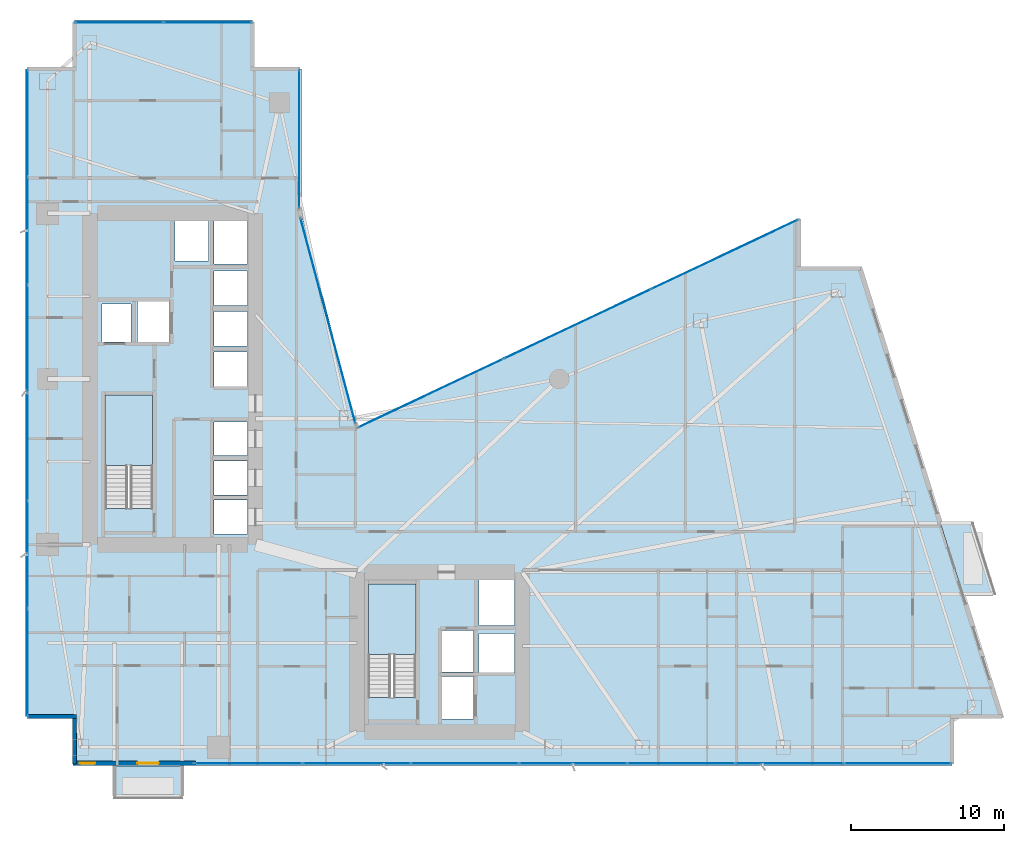
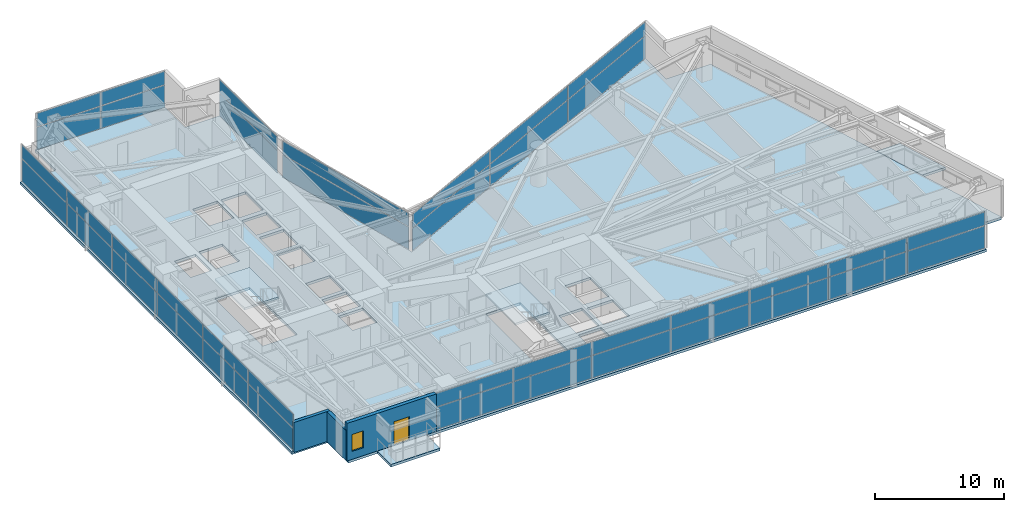
# One storey, part 21 of 29: 40 plates, 5 slabs, 3 walls, 1 door, 1 window, 2 openings, 8 elements without a shape of their own.
"""IFC4 building model written with IfcOpenShell, lengths in metres."""

from ifc_helpers import new_model, si_unit, direction, frame, frame_2d, origin, origin_2d, place, context, subcontext, project, spatial, polyline, rectangle, outline, extrude, material, layer, layer_set, type_object, element, fill, aggregate, save


model = new_model("IFC4")

# Units and contexts
model_context = context("Model", 3, precision=1e-05, world=origin(), true_north=direction((0.0, 1.0)))
body_context = subcontext(model_context, "Body", "Model", "MODEL_VIEW")
ifc_project = project(units=[si_unit("LENGTHUNIT", "METRE"), si_unit("AREAUNIT", "SQUARE_METRE"), si_unit("VOLUMEUNIT", "CUBIC_METRE"), si_unit("PLANEANGLEUNIT", "RADIAN"), si_unit("MASSUNIT", "GRAM", prefix="KILO")], contexts=[model_context])

# Site, building, storey
site_placement = place(None, origin())
site = spatial("IfcSite", under=ifc_project, at=site_placement, CompositionType="ELEMENT")
building_placement = place(site_placement, origin())
building = spatial("IfcBuilding", under=site, at=building_placement, Name="Calvorn Quay Hotel", CompositionType="ELEMENT")
storey_placement = place(building_placement, frame((0.0, 0.0, 81.199951171875)))
storey = spatial("IfcBuildingStorey", under=building, at=storey_placement, Name="L19", CompositionType="ELEMENT", Elevation=81.199951171875)

# Curtain wall, plates
ifc_material_1 = material(Name="Pale Anodised Aluminium and Low-E Glass", Category="aluminium")
ifc_layer_1 = layer(ifc_material_1, 0.219970703125)
ifc_layer_set_1 = layer_set([ifc_layer_1], Name="CW-SYS-Z1")
curtain_wall_type = type_object("IfcCurtainWallType", Name="CW-SYS-Z1", PredefinedType="NOTDEFINED", material=ifc_layer_set_1)
curtain_wall_1_placement = place(storey_placement, origin())
curtain_wall_1 = element("IfcCurtainWall", 1, at=curtain_wall_1_placement, inside=storey, type_object=curtain_wall_type, Name="Tower West Curtain Wall (L19)", PredefinedType="NOTDEFINED")
ifc_material_2 = material(Name="Low-E Laminated Double Glazing", Category="glass")
ifc_layer_2 = layer(ifc_material_2, 0.028076171875)
ifc_layer_set_2 = layer_set([ifc_layer_2], Name="CW-SYS-Z1-PAN")
plate_type = type_object("IfcPlateType", Name="CW-SYS-Z1-PAN", PredefinedType="CURTAIN_PANEL", material=ifc_layer_set_2)
plate_1_placement = place(storey_placement, frame((0.14990234375, 9.131591796875, 0.06005859375), z_axis=(0.0, 0.0, 1.0), x_axis=(0.0, 1.0, 0.0)))
plate_1 = element("IfcPlate", 2, at=plate_1_placement, type_object=plate_type, Name="CW-L19-W panel 1.1", PredefinedType="CURTAIN_PANEL", context=body_context, shape_type="SweptSolid", body=[
    extrude(rectangle(XDim=6.943359375, YDim=0.028076171875, at=origin_2d()), origin(), (0.0, 0.0, 1.0), 2.110107421875),
])
plate_2_placement = place(storey_placement, frame((0.14990234375, 9.131591796875, 2.22998046875), z_axis=(0.0, 0.0, 1.0), x_axis=(0.0, 1.0, 0.0)))
plate_2 = element("IfcPlate", 3, at=plate_2_placement, type_object=plate_type, Name="CW-L19-W panel 1.2", PredefinedType="CURTAIN_PANEL", context=body_context, shape_type="SweptSolid", body=[
    extrude(rectangle(XDim=6.943359375, YDim=0.028076171875, at=origin_2d()), origin(), (0.0, 0.0, 1.0), 1.27001953125),
])
plate_3_placement = place(storey_placement, frame((0.14990234375, 16.14990234375, 0.06005859375), z_axis=(0.0, 0.0, 1.0), x_axis=(0.0, 1.0, 0.0)))
plate_3 = element("IfcPlate", 4, at=plate_3_placement, type_object=plate_type, Name="CW-L19-W panel 2.1", PredefinedType="CURTAIN_PANEL", context=body_context, shape_type="SweptSolid", body=[
    extrude(rectangle(XDim=6.973388671875, YDim=0.028076171875, at=origin_2d()), origin(), (0.0, 0.0, 1.0), 2.110107421875),
])
plate_4_placement = place(storey_placement, frame((0.14990234375, 16.14990234375, 2.22998046875), z_axis=(0.0, 0.0, 1.0), x_axis=(0.0, 1.0, 0.0)))
plate_4 = element("IfcPlate", 5, at=plate_4_placement, type_object=plate_type, Name="CW-L19-W panel 2.2", PredefinedType="CURTAIN_PANEL", context=body_context, shape_type="SweptSolid", body=[
    extrude(rectangle(XDim=6.973388671875, YDim=0.028076171875, at=origin_2d()), origin(), (0.0, 0.0, 1.0), 1.27001953125),
])
plate_5_placement = place(storey_placement, frame((0.14990234375, 23.183349609375, 0.06005859375), z_axis=(0.0, 0.0, 1.0), x_axis=(0.0, 1.0, 0.0)))
plate_5 = element("IfcPlate", 6, at=plate_5_placement, type_object=plate_type, Name="CW-L19-W panel 3.1", PredefinedType="CURTAIN_PANEL", context=body_context, shape_type="SweptSolid", body=[
    extrude(rectangle(XDim=6.973388671875, YDim=0.028076171875, at=origin_2d()), origin(), (0.0, 0.0, 1.0), 2.110107421875),
])
plate_6_placement = place(storey_placement, frame((0.14990234375, 23.183349609375, 2.22998046875), z_axis=(0.0, 0.0, 1.0), x_axis=(0.0, 1.0, 0.0)))
plate_6 = element("IfcPlate", 7, at=plate_6_placement, type_object=plate_type, Name="CW-L19-W panel 3.2", PredefinedType="CURTAIN_PANEL", context=body_context, shape_type="SweptSolid", body=[
    extrude(rectangle(XDim=6.973388671875, YDim=0.028076171875, at=origin_2d()), origin(), (0.0, 0.0, 1.0), 1.27001953125),
])
plate_7_placement = place(storey_placement, frame((0.14990234375, 30.216552734375, 0.06005859375), z_axis=(0.0, 0.0, 1.0), x_axis=(0.0, 1.0, 0.0)))
plate_7 = element("IfcPlate", 8, at=plate_7_placement, type_object=plate_type, Name="CW-L19-W panel 4.1", PredefinedType="CURTAIN_PANEL", context=body_context, shape_type="SweptSolid", body=[
    extrude(rectangle(XDim=6.973388671875, YDim=0.028076171875, at=origin_2d()), origin(), (0.0, 0.0, 1.0), 2.110107421875),
])
plate_8_placement = place(storey_placement, frame((0.14990234375, 30.216552734375, 2.22998046875), z_axis=(0.0, 0.0, 1.0), x_axis=(0.0, 1.0, 0.0)))
plate_8 = element("IfcPlate", 9, at=plate_8_placement, type_object=plate_type, Name="CW-L19-W panel 4.2", PredefinedType="CURTAIN_PANEL", context=body_context, shape_type="SweptSolid", body=[
    extrude(rectangle(XDim=6.973388671875, YDim=0.028076171875, at=origin_2d()), origin(), (0.0, 0.0, 1.0), 1.27001953125),
])
plate_9_placement = place(storey_placement, frame((0.14990234375, 37.25, 0.06005859375), z_axis=(0.0, 0.0, 1.0), x_axis=(0.0, 1.0, 0.0)))
plate_9 = element("IfcPlate", 10, at=plate_9_placement, type_object=plate_type, Name="CW-L19-W panel 5.1", PredefinedType="CURTAIN_PANEL", context=body_context, shape_type="SweptSolid", body=[
    extrude(rectangle(XDim=6.973388671875, YDim=0.028076171875, at=origin_2d()), origin(), (0.0, 0.0, 1.0), 2.110107421875),
])
plate_10_placement = place(storey_placement, frame((0.14990234375, 37.25, 2.22998046875), z_axis=(0.0, 0.0, 1.0), x_axis=(0.0, 1.0, 0.0)))
plate_10 = element("IfcPlate", 11, at=plate_10_placement, type_object=plate_type, Name="CW-L19-W panel 5.2", PredefinedType="CURTAIN_PANEL", context=body_context, shape_type="SweptSolid", body=[
    extrude(rectangle(XDim=6.973388671875, YDim=0.028076171875, at=origin_2d()), origin(), (0.0, 0.0, 1.0), 1.27001953125),
])
plate_11_placement = place(storey_placement, frame((0.14990234375, 44.268310546875, 0.06005859375), z_axis=(0.0, 0.0, 1.0), x_axis=(0.0, 1.0, 0.0)))
plate_11 = element("IfcPlate", 12, at=plate_11_placement, type_object=plate_type, Name="CW-L19-W panel 6.1", PredefinedType="CURTAIN_PANEL", context=body_context, shape_type="SweptSolid", body=[
    extrude(rectangle(XDim=6.943359375, YDim=0.028076171875, at=origin_2d()), origin(), (0.0, 0.0, 1.0), 2.110107421875),
])
plate_12_placement = place(storey_placement, frame((0.14990234375, 44.268310546875, 2.22998046875), z_axis=(0.0, 0.0, 1.0), x_axis=(0.0, 1.0, 0.0)))
plate_12 = element("IfcPlate", 13, at=plate_12_placement, type_object=plate_type, Name="CW-L19-W panel 6.2", PredefinedType="CURTAIN_PANEL", context=body_context, shape_type="SweptSolid", body=[
    extrude(rectangle(XDim=6.943359375, YDim=0.028076171875, at=origin_2d()), origin(), (0.0, 0.0, 1.0), 1.27001953125),
])
aggregate(curtain_wall_1, [plate_1, plate_2, plate_3, plate_4, plate_5, plate_6, plate_7, plate_8, plate_9, plate_10, plate_11, plate_12])

curtain_wall_2_placement = place(storey_placement, origin())
curtain_wall_2 = element("IfcCurtainWall", 14, at=curtain_wall_2_placement, inside=storey, type_object=curtain_wall_type, Name="Tower South Waterfront Curtain Wall (L19)", PredefinedType="NOTDEFINED")
plate_13_placement = place(storey_placement, frame((14.54345703125, 2.550048828125, 0.06005859375), z_axis=(0.0, 0.0, 1.0), x_axis=(1.0, 0.0, 0.0)))
plate_13 = element("IfcPlate", 15, at=plate_13_placement, type_object=plate_type, Name="CW-L19-S panel 1.1", PredefinedType="CURTAIN_PANEL", context=body_context, shape_type="SweptSolid", body=[
    extrude(rectangle(XDim=6.967041015625, YDim=0.028076171875, at=origin_2d()), origin(), (0.0, 0.0, 1.0), 2.110107421875),
])
plate_14_placement = place(storey_placement, frame((14.54345703125, 2.550048828125, 2.22998046875), z_axis=(0.0, 0.0, 1.0), x_axis=(1.0, 0.0, 0.0)))
plate_14 = element("IfcPlate", 16, at=plate_14_placement, type_object=plate_type, Name="CW-L19-S panel 1.2", PredefinedType="CURTAIN_PANEL", context=body_context, shape_type="SweptSolid", body=[
    extrude(rectangle(XDim=6.967041015625, YDim=0.028076171875, at=origin_2d()), origin(), (0.0, 0.0, 1.0), 1.27001953125),
])
plate_15_placement = place(storey_placement, frame((21.585693359375, 2.550048828125, 0.06005859375), z_axis=(0.0, 0.0, 1.0), x_axis=(1.0, 0.0, 0.0)))
plate_15 = element("IfcPlate", 17, at=plate_15_placement, type_object=plate_type, Name="CW-L19-S panel 2.1", PredefinedType="CURTAIN_PANEL", context=body_context, shape_type="SweptSolid", body=[
    extrude(rectangle(XDim=6.9970703125, YDim=0.028076171875, at=origin_2d()), origin(), (0.0, 0.0, 1.0), 2.110107421875),
])
plate_16_placement = place(storey_placement, frame((21.585693359375, 2.550048828125, 2.22998046875), z_axis=(0.0, 0.0, 1.0), x_axis=(1.0, 0.0, 0.0)))
plate_16 = element("IfcPlate", 18, at=plate_16_placement, type_object=plate_type, Name="CW-L19-S panel 2.2", PredefinedType="CURTAIN_PANEL", context=body_context, shape_type="SweptSolid", body=[
    extrude(rectangle(XDim=6.9970703125, YDim=0.028076171875, at=origin_2d()), origin(), (0.0, 0.0, 1.0), 1.27001953125),
])
plate_17_placement = place(storey_placement, frame((28.642822265625, 2.550048828125, 0.06005859375), z_axis=(0.0, 0.0, 1.0), x_axis=(1.0, 0.0, 0.0)))
plate_17 = element("IfcPlate", 19, at=plate_17_placement, type_object=plate_type, Name="CW-L19-S panel 3.1", PredefinedType="CURTAIN_PANEL", context=body_context, shape_type="SweptSolid", body=[
    extrude(rectangle(XDim=6.9970703125, YDim=0.028076171875, at=origin_2d()), origin(), (0.0, 0.0, 1.0), 2.110107421875),
])
plate_18_placement = place(storey_placement, frame((28.642822265625, 2.550048828125, 2.22998046875), z_axis=(0.0, 0.0, 1.0), x_axis=(1.0, 0.0, 0.0)))
plate_18 = element("IfcPlate", 20, at=plate_18_placement, type_object=plate_type, Name="CW-L19-S panel 3.2", PredefinedType="CURTAIN_PANEL", context=body_context, shape_type="SweptSolid", body=[
    extrude(rectangle(XDim=6.9970703125, YDim=0.028076171875, at=origin_2d()), origin(), (0.0, 0.0, 1.0), 1.27001953125),
])
plate_19_placement = place(storey_placement, frame((35.699951171875, 2.550048828125, 0.06005859375), z_axis=(0.0, 0.0, 1.0), x_axis=(1.0, 0.0, 0.0)))
plate_19 = element("IfcPlate", 21, at=plate_19_placement, type_object=plate_type, Name="CW-L19-S panel 4.1", PredefinedType="CURTAIN_PANEL", context=body_context, shape_type="SweptSolid", body=[
    extrude(rectangle(XDim=6.9970703125, YDim=0.028076171875, at=origin_2d()), origin(), (0.0, 0.0, 1.0), 2.110107421875),
])
plate_20_placement = place(storey_placement, frame((35.699951171875, 2.550048828125, 2.22998046875), z_axis=(0.0, 0.0, 1.0), x_axis=(1.0, 0.0, 0.0)))
plate_20 = element("IfcPlate", 22, at=plate_20_placement, type_object=plate_type, Name="CW-L19-S panel 4.2", PredefinedType="CURTAIN_PANEL", context=body_context, shape_type="SweptSolid", body=[
    extrude(rectangle(XDim=6.9970703125, YDim=0.028076171875, at=origin_2d()), origin(), (0.0, 0.0, 1.0), 1.27001953125),
])
plate_21_placement = place(storey_placement, frame((42.757080078125, 2.550048828125, 0.06005859375), z_axis=(0.0, 0.0, 1.0), x_axis=(1.0, 0.0, 0.0)))
plate_21 = element("IfcPlate", 23, at=plate_21_placement, type_object=plate_type, Name="CW-L19-S panel 5.1", PredefinedType="CURTAIN_PANEL", context=body_context, shape_type="SweptSolid", body=[
    extrude(rectangle(XDim=6.9970703125, YDim=0.028076171875, at=origin_2d()), origin(), (0.0, 0.0, 1.0), 2.110107421875),
])
plate_22_placement = place(storey_placement, frame((42.757080078125, 2.550048828125, 2.22998046875), z_axis=(0.0, 0.0, 1.0), x_axis=(1.0, 0.0, 0.0)))
plate_22 = element("IfcPlate", 24, at=plate_22_placement, type_object=plate_type, Name="CW-L19-S panel 5.2", PredefinedType="CURTAIN_PANEL", context=body_context, shape_type="SweptSolid", body=[
    extrude(rectangle(XDim=6.9970703125, YDim=0.028076171875, at=origin_2d()), origin(), (0.0, 0.0, 1.0), 1.27001953125),
])
plate_23_placement = place(storey_placement, frame((49.814208984375, 2.550048828125, 0.06005859375), z_axis=(0.0, 0.0, 1.0), x_axis=(1.0, 0.0, 0.0)))
plate_23 = element("IfcPlate", 25, at=plate_23_placement, type_object=plate_type, Name="CW-L19-S panel 6.1", PredefinedType="CURTAIN_PANEL", context=body_context, shape_type="SweptSolid", body=[
    extrude(rectangle(XDim=6.9970703125, YDim=0.028076171875, at=origin_2d()), origin(), (0.0, 0.0, 1.0), 2.110107421875),
])
plate_24_placement = place(storey_placement, frame((49.814208984375, 2.550048828125, 2.22998046875), z_axis=(0.0, 0.0, 1.0), x_axis=(1.0, 0.0, 0.0)))
plate_24 = element("IfcPlate", 26, at=plate_24_placement, type_object=plate_type, Name="CW-L19-S panel 6.2", PredefinedType="CURTAIN_PANEL", context=body_context, shape_type="SweptSolid", body=[
    extrude(rectangle(XDim=6.9970703125, YDim=0.028076171875, at=origin_2d()), origin(), (0.0, 0.0, 1.0), 1.27001953125),
])
plate_25_placement = place(storey_placement, frame((56.8564453125, 2.550048828125, 0.06005859375), z_axis=(0.0, 0.0, 1.0), x_axis=(1.0, 0.0, 0.0)))
plate_25 = element("IfcPlate", 27, at=plate_25_placement, type_object=plate_type, Name="CW-L19-S panel 7.1", PredefinedType="CURTAIN_PANEL", context=body_context, shape_type="SweptSolid", body=[
    extrude(rectangle(XDim=6.967041015625, YDim=0.028076171875, at=origin_2d()), origin(), (0.0, 0.0, 1.0), 2.110107421875),
])
plate_26_placement = place(storey_placement, frame((56.8564453125, 2.550048828125, 2.22998046875), z_axis=(0.0, 0.0, 1.0), x_axis=(1.0, 0.0, 0.0)))
plate_26 = element("IfcPlate", 28, at=plate_26_placement, type_object=plate_type, Name="CW-L19-S panel 7.2", PredefinedType="CURTAIN_PANEL", context=body_context, shape_type="SweptSolid", body=[
    extrude(rectangle(XDim=6.967041015625, YDim=0.028076171875, at=origin_2d()), origin(), (0.0, 0.0, 1.0), 1.27001953125),
])
aggregate(curtain_wall_2, [plate_13, plate_14, plate_15, plate_16, plate_17, plate_18, plate_19, plate_20, plate_21, plate_22, plate_23, plate_24, plate_25, plate_26])

curtain_wall_3_placement = place(storey_placement, origin())
curtain_wall_3 = element("IfcCurtainWall", 29, at=curtain_wall_3_placement, inside=storey, type_object=curtain_wall_type, Name="Inner Court Curtain Wall L19-NE1", PredefinedType="NOTDEFINED")
plate_27_placement = place(storey_placement, frame((45.58642578125, 35.726806640625, 0.06005859375), z_axis=(0.0, 0.0, 1.0), x_axis=(-0.904248646743, -0.427006305415, 0.0)))
plate_27 = element("IfcPlate", 30, at=plate_27_placement, type_object=plate_type, Name="CW-L19-NE1 panel 1.1", PredefinedType="CURTAIN_PANEL", context=body_context, shape_type="SweptSolid", body=[
    extrude(rectangle(XDim=10.526611328125, YDim=0.028076171875, at=origin_2d()), origin(), (0.0, 0.0, 1.0), 2.110107421875),
])
plate_28_placement = place(storey_placement, frame((45.58642578125, 35.726806640625, 2.22998046875), z_axis=(0.0, 0.0, 1.0), x_axis=(-0.904248646743, -0.427006305415, 0.0)))
plate_28 = element("IfcPlate", 31, at=plate_28_placement, type_object=plate_type, Name="CW-L19-NE1 panel 1.2", PredefinedType="CURTAIN_PANEL", context=body_context, shape_type="SweptSolid", body=[
    extrude(rectangle(XDim=10.526611328125, YDim=0.028076171875, at=origin_2d()), origin(), (0.0, 0.0, 1.0), 1.27001953125),
])
plate_29_placement = place(storey_placement, frame((36.0, 31.199951171875, 0.06005859375), z_axis=(0.0, 0.0, 1.0), x_axis=(-0.904248646743, -0.427006305415, 0.0)))
plate_29 = element("IfcPlate", 32, at=plate_29_placement, type_object=plate_type, Name="CW-L19-NE1 panel 2.1", PredefinedType="CURTAIN_PANEL", context=body_context, shape_type="SweptSolid", body=[
    extrude(rectangle(XDim=10.556640625, YDim=0.028076171875, at=origin_2d()), origin(), (0.0, 0.0, 1.0), 2.110107421875),
])
plate_30_placement = place(storey_placement, frame((36.0, 31.199951171875, 2.22998046875), z_axis=(0.0, 0.0, 1.0), x_axis=(-0.904248646743, -0.427006305415, 0.0)))
plate_30 = element("IfcPlate", 33, at=plate_30_placement, type_object=plate_type, Name="CW-L19-NE1 panel 2.2", PredefinedType="CURTAIN_PANEL", context=body_context, shape_type="SweptSolid", body=[
    extrude(rectangle(XDim=10.556640625, YDim=0.028076171875, at=origin_2d()), origin(), (0.0, 0.0, 1.0), 1.27001953125),
])
plate_31_placement = place(storey_placement, frame((26.41357421875, 26.673095703125, 0.06005859375), z_axis=(0.0, 0.0, 1.0), x_axis=(-0.904248646743, -0.427006305415, 0.0)))
plate_31 = element("IfcPlate", 34, at=plate_31_placement, type_object=plate_type, Name="CW-L19-NE1 panel 3.1", PredefinedType="CURTAIN_PANEL", context=body_context, shape_type="SweptSolid", body=[
    extrude(rectangle(XDim=10.526611328125, YDim=0.028076171875, at=origin_2d()), origin(), (0.0, 0.0, 1.0), 2.110107421875),
])
plate_32_placement = place(storey_placement, frame((26.41357421875, 26.673095703125, 2.22998046875), z_axis=(0.0, 0.0, 1.0), x_axis=(-0.904248646743, -0.427006305415, 0.0)))
plate_32 = element("IfcPlate", 35, at=plate_32_placement, type_object=plate_type, Name="CW-L19-NE1 panel 3.2", PredefinedType="CURTAIN_PANEL", context=body_context, shape_type="SweptSolid", body=[
    extrude(rectangle(XDim=10.526611328125, YDim=0.028076171875, at=origin_2d()), origin(), (0.0, 0.0, 1.0), 1.27001953125),
])
aggregate(curtain_wall_3, [plate_27, plate_28, plate_29, plate_30, plate_31, plate_32])

curtain_wall_4_placement = place(storey_placement, origin())
curtain_wall_4 = element("IfcCurtainWall", 36, at=curtain_wall_4_placement, inside=storey, type_object=curtain_wall_type, Name="Inner Court Curtain Wall L19-IC1", PredefinedType="NOTDEFINED")
plate_33_placement = place(storey_placement, frame((19.72509765625, 31.39990234375, 0.06005859375), z_axis=(0.0, 0.0, 1.0), x_axis=(-0.25877913024, 0.96593652056, 0.0)))
plate_33 = element("IfcPlate", 37, at=plate_33_placement, type_object=plate_type, Name="CW-L19-IC1 panel 1.1", PredefinedType="CURTAIN_PANEL", context=body_context, shape_type="SweptSolid", body=[
    extrude(rectangle(XDim=13.814697265625, YDim=0.028076171875, at=origin_2d()), origin(), (0.0, 0.0, 1.0), 2.110107421875),
])
plate_34_placement = place(storey_placement, frame((19.72509765625, 31.39990234375, 2.22998046875), z_axis=(0.0, 0.0, 1.0), x_axis=(-0.25877913024, 0.96593652056, 0.0)))
plate_34 = element("IfcPlate", 38, at=plate_34_placement, type_object=plate_type, Name="CW-L19-IC1 panel 1.2", PredefinedType="CURTAIN_PANEL", context=body_context, shape_type="SweptSolid", body=[
    extrude(rectangle(XDim=13.814697265625, YDim=0.028076171875, at=origin_2d()), origin(), (0.0, 0.0, 1.0), 1.27001953125),
])
aggregate(curtain_wall_4, [plate_33, plate_34])

curtain_wall_5_placement = place(storey_placement, origin())
curtain_wall_5 = element("IfcCurtainWall", 39, at=curtain_wall_5_placement, inside=storey, type_object=curtain_wall_type, Name="Inner Court Curtain Wall L19-IC2", PredefinedType="NOTDEFINED")
plate_35_placement = place(storey_placement, frame((17.85009765625, 43.239990234375, 0.06005859375), z_axis=(0.0, 0.0, 1.0), x_axis=(0.0, 1.0, 0.0)))
plate_35 = element("IfcPlate", 40, at=plate_35_placement, type_object=plate_type, Name="CW-L19-IC2 panel 1.1", PredefinedType="CURTAIN_PANEL", context=body_context, shape_type="SweptSolid", body=[
    extrude(rectangle(XDim=9.0, YDim=0.028076171875, at=origin_2d()), origin(), (0.0, 0.0, 1.0), 2.110107421875),
])
plate_36_placement = place(storey_placement, frame((17.85009765625, 43.239990234375, 2.22998046875), z_axis=(0.0, 0.0, 1.0), x_axis=(0.0, 1.0, 0.0)))
plate_36 = element("IfcPlate", 41, at=plate_36_placement, type_object=plate_type, Name="CW-L19-IC2 panel 1.2", PredefinedType="CURTAIN_PANEL", context=body_context, shape_type="SweptSolid", body=[
    extrude(rectangle(XDim=9.0, YDim=0.028076171875, at=origin_2d()), origin(), (0.0, 0.0, 1.0), 1.27001953125),
])
aggregate(curtain_wall_5, [plate_35, plate_36])

curtain_wall_6_placement = place(storey_placement, origin())
curtain_wall_6 = element("IfcCurtainWall", 42, at=curtain_wall_6_placement, inside=storey, type_object=curtain_wall_type, Name="Inner Court Curtain Wall L19-N1", PredefinedType="NOTDEFINED")
plate_37_placement = place(storey_placement, frame((11.885009765625, 50.85009765625, 0.06005859375), z_axis=(0.0, 0.0, 1.0), x_axis=(-1.0, 0.0, 0.0)))
plate_37 = element("IfcPlate", 43, at=plate_37_placement, type_object=plate_type, Name="CW-L19-N1 panel 1.1", PredefinedType="CURTAIN_PANEL", context=body_context, shape_type="SweptSolid", body=[
    extrude(rectangle(XDim=5.7099609375, YDim=0.028076171875, at=origin_2d()), origin(), (0.0, 0.0, 1.0), 2.110107421875),
])
plate_38_placement = place(storey_placement, frame((11.885009765625, 50.85009765625, 2.22998046875), z_axis=(0.0, 0.0, 1.0), x_axis=(-1.0, 0.0, 0.0)))
plate_38 = element("IfcPlate", 44, at=plate_38_placement, type_object=plate_type, Name="CW-L19-N1 panel 1.2", PredefinedType="CURTAIN_PANEL", context=body_context, shape_type="SweptSolid", body=[
    extrude(rectangle(XDim=5.7099609375, YDim=0.028076171875, at=origin_2d()), origin(), (0.0, 0.0, 1.0), 1.27001953125),
])
plate_39_placement = place(storey_placement, frame((6.114990234375, 50.85009765625, 0.06005859375), z_axis=(0.0, 0.0, 1.0), x_axis=(-1.0, 0.0, 0.0)))
plate_39 = element("IfcPlate", 45, at=plate_39_placement, type_object=plate_type, Name="CW-L19-N1 panel 2.1", PredefinedType="CURTAIN_PANEL", context=body_context, shape_type="SweptSolid", body=[
    extrude(rectangle(XDim=5.7099609375, YDim=0.028076171875, at=origin_2d()), origin(), (0.0, 0.0, 1.0), 2.110107421875),
])
plate_40_placement = place(storey_placement, frame((6.114990234375, 50.85009765625, 2.22998046875), z_axis=(0.0, 0.0, 1.0), x_axis=(-1.0, 0.0, 0.0)))
plate_40 = element("IfcPlate", 46, at=plate_40_placement, type_object=plate_type, Name="CW-L19-N1 panel 2.2", PredefinedType="CURTAIN_PANEL", context=body_context, shape_type="SweptSolid", body=[
    extrude(rectangle(XDim=5.7099609375, YDim=0.028076171875, at=origin_2d()), origin(), (0.0, 0.0, 1.0), 1.27001953125),
])
aggregate(curtain_wall_6, [plate_37, plate_38, plate_39, plate_40])

# Slabs
ifc_material_3 = material(Name="Concrete C40", Category="concrete")
ifc_layer_3 = layer(ifc_material_3, 0.239990234375)
ifc_layer_set_3 = layer_set([ifc_layer_3], Name="SLB-BALCONY-220")
slab_type_1 = type_object("IfcSlabType", Name="SLB-BALCONY-220", PredefinedType="FLOOR", material=ifc_layer_set_3)
slab_1_placement = place(storey_placement, frame((0.0, 0.0, -0.239990234375)))
element("IfcSlab", 47, at=slab_1_placement, inside=storey, type_object=slab_type_1, Name="Tree Balcony Slab L19-BALC-E", PredefinedType="FLOOR", context=body_context, shape_type="SweptSolid", body=[
    extrude(outline(polyline([(61.089111328125, 13.60009765625), (63.18896484375, 13.60009765625), (61.739990234375, 18.199951171875), (59.639892578125, 18.199951171875), (61.089111328125, 13.60009765625)])), origin(), (0.0, 0.0, 1.0), 0.239990234375),
])
slab_2_placement = place(storey_placement, frame((0.0, 0.0, -0.239990234375)))
element("IfcSlab", 48, at=slab_2_placement, inside=storey, type_object=slab_type_1, Name="Tree Balcony Slab L19-BALC-S", PredefinedType="FLOOR", context=body_context, shape_type="SweptSolid", body=[
    extrude(outline(polyline([(5.800048828125, 0.2900390625), (10.199951171875, 0.2900390625), (10.199951171875, 2.389892578125), (5.800048828125, 2.389892578125), (5.800048828125, 0.2900390625)])), origin(), (0.0, 0.0, 1.0), 0.239990234375),
])

# Stair, slab
ifc_material_4 = material(Name="Concrete C40", Category="concrete")
stair_type = type_object("IfcStairType", Name="STR-CORE-DOGLEG", PredefinedType="HALF_TURN_STAIR", material=ifc_material_4)
stair_1_placement = place(storey_placement, origin())
stair_1 = element("IfcStair", 49, at=stair_1_placement, inside=storey, type_object=stair_type, Name="L19 ST-W", PredefinedType="HALF_TURN_STAIR")
ifc_material_5 = material(Name="Concrete C40", Category="concrete")
ifc_layer_4 = layer(ifc_material_5, 0.199951171875)
ifc_layer_set_4 = layer_set([ifc_layer_4], Name="SLB-STAIR-LANDING-200")
slab_type_2 = type_object("IfcSlabType", Name="SLB-STAIR-LANDING-200", PredefinedType="LANDING", material=ifc_layer_set_4)
slab_3_placement = place(storey_placement, frame((0.0, 0.0, 1.699951171875)))
slab_3 = element("IfcSlab", 50, at=slab_3_placement, type_object=slab_type_2, Name="ST-W landing 1", PredefinedType="LANDING", context=body_context, shape_type="SweptSolid", body=[
    extrude(outline(polyline([(8.300048828125, 21.949951171875), (8.300048828125, 26.550048828125), (5.199951171875, 26.550048828125), (5.199951171875, 21.949951171875), (8.300048828125, 21.949951171875)])), origin(), (0.0, 0.0, 1.0), 0.2001953125),
])
aggregate(stair_1, [slab_3])

stair_2_placement = place(storey_placement, origin())
stair_2 = element("IfcStair", 51, at=stair_2_placement, inside=storey, type_object=stair_type, Name="L19 ST-E", PredefinedType="HALF_TURN_STAIR")
slab_4_placement = place(storey_placement, frame((0.0, 0.0, 1.699951171875)))
slab_4 = element("IfcSlab", 52, at=slab_4_placement, type_object=slab_type_2, Name="ST-E landing 1", PredefinedType="LANDING", context=body_context, shape_type="SweptSolid", body=[
    extrude(outline(polyline([(25.449951171875, 9.64990234375), (25.449951171875, 14.25), (22.35009765625, 14.25), (22.35009765625, 9.64990234375), (25.449951171875, 9.64990234375)])), origin(), (0.0, 0.0, 1.0), 0.2001953125),
])
aggregate(stair_2, [slab_4])

# Slab
ifc_material_6 = material(Name="Concrete C40", Category="concrete")
ifc_layer_5 = layer(ifc_material_6, 0.239990234375)
ifc_layer_set_5 = layer_set([ifc_layer_5], Name="SLB-TOWER-240")
slab_type_3 = type_object("IfcSlabType", Name="SLB-TOWER-240", PredefinedType="FLOOR", material=ifc_layer_set_5)
slab_5_placement = place(storey_placement, frame((0.0, 0.0, -0.239990234375)))
element("IfcSlab", 53, at=slab_5_placement, inside=storey, type_object=slab_type_3, Name="L19 Structural Floor Slab", PredefinedType="FLOOR", context=body_context, shape_type="SweptSolid", body=[
    extrude(outline(polyline([(0.0, 5.60009765625), (3.199951171875, 5.60009765625), (3.199951171875, 2.39990234375), (60.39990234375, 2.39990234375), (60.39990234375, 5.60009765625), (63.60009765625, 5.60009765625), (54.39990234375, 34.800048828125), (50.39990234375, 34.800048828125), (50.39990234375, 38.0), (21.60009765625, 24.39990234375), (18.0, 38.39990234375), (18.0, 47.800048828125), (14.800048828125, 47.800048828125), (14.800048828125, 51.0), (3.199951171875, 51.0), (3.199951171875, 47.800048828125), (0.0, 47.800048828125), (0.0, 5.60009765625)]), holes=[polyline([(5.199951171875, 19.156005859375), (8.300048828125, 19.156005859375), (8.300048828125, 26.550048828125), (5.199951171875, 26.550048828125), (5.199951171875, 19.156005859375)]), polyline([(22.35009765625, 6.85595703125), (25.449951171875, 6.85595703125), (25.449951171875, 14.25), (22.35009765625, 14.25), (22.35009765625, 6.85595703125)]), polyline([(5.0, 30.0), (6.89990234375, 30.0), (6.89990234375, 32.5), (5.0, 32.5), (5.0, 30.0)]), polyline([(7.300048828125, 30.0), (9.39990234375, 30.0), (9.39990234375, 32.64990234375), (7.300048828125, 32.64990234375), (7.300048828125, 30.0)]), polyline([(27.159912109375, 8.5), (29.2099609375, 8.5), (29.2099609375, 11.199951171875), (27.159912109375, 11.199951171875), (27.159912109375, 8.5)]), polyline([(27.159912109375, 5.449951171875), (29.2099609375, 5.449951171875), (29.2099609375, 8.199951171875), (27.159912109375, 8.199951171875), (27.159912109375, 5.449951171875)]), polyline([(12.300048828125, 17.5), (14.489990234375, 17.5), (14.489990234375, 19.699951171875), (12.300048828125, 19.699951171875), (12.300048828125, 17.5)]), polyline([(12.300048828125, 20.050048828125), (14.489990234375, 20.050048828125), (14.489990234375, 22.25), (12.300048828125, 22.25), (12.300048828125, 20.050048828125)]), polyline([(12.300048828125, 22.60009765625), (14.489990234375, 22.60009765625), (14.489990234375, 24.800048828125), (12.300048828125, 24.800048828125), (12.300048828125, 22.60009765625)]), polyline([(12.300048828125, 27.10009765625), (14.489990234375, 27.10009765625), (14.489990234375, 29.35009765625), (12.300048828125, 29.35009765625), (12.300048828125, 27.10009765625)]), polyline([(12.300048828125, 29.75), (14.489990234375, 29.75), (14.489990234375, 32.0), (12.300048828125, 32.0), (12.300048828125, 29.75)]), polyline([(12.300048828125, 32.39990234375), (14.489990234375, 32.39990234375), (14.489990234375, 34.64990234375), (12.300048828125, 34.64990234375), (12.300048828125, 32.39990234375)]), polyline([(12.300048828125, 35.10009765625), (14.489990234375, 35.10009765625), (14.489990234375, 37.889892578125), (12.300048828125, 37.889892578125), (12.300048828125, 35.10009765625)]), polyline([(9.75, 35.300048828125), (11.949951171875, 35.300048828125), (11.949951171875, 37.889892578125), (9.75, 37.889892578125), (9.75, 35.300048828125)]), polyline([(29.550048828125, 11.550048828125), (31.889892578125, 11.550048828125), (31.889892578125, 14.489990234375), (29.550048828125, 14.489990234375), (29.550048828125, 11.550048828125)]), polyline([(29.550048828125, 8.449951171875), (31.889892578125, 8.449951171875), (31.889892578125, 11.0), (29.550048828125, 11.0), (29.550048828125, 8.449951171875)])]), origin(), (0.0, 0.0, 1.0), 0.239990234375),
])

# Wall, openings, door, window
ifc_material_7 = material(Name="Concrete C40", Category="concrete")
ifc_layer_6 = layer(ifc_material_7, 0.320068359375)
ifc_layer_set_6 = layer_set([ifc_layer_6], Name="WL-EXT-SPANDREL-320")
wall_type = type_object("IfcWallType", Name="WL-EXT-SPANDREL-320", PredefinedType="SOLIDWALL", material=ifc_layer_set_6)
wall_1_placement = place(storey_placement, frame((3.10009765625, 2.56005859375, 0.0), z_axis=(0.0, 0.0, 1.0), x_axis=(1.0, 0.0, 0.0)))
wall_1 = element("IfcWall", 54, at=wall_1_placement, inside=storey, type_object=wall_type, Name="South Balcony Exterior Wall (L19)", PredefinedType="SOLIDWALL", context=body_context, shape_type="SweptSolid", body=[
    extrude(rectangle(XDim=8.0, YDim=0.320068359375, at=frame_2d((4.0, 0.0))), origin(), (0.0, 0.0, 1.0), 3.56005859375),
])
opening_1_placement = place(wall_1_placement, frame((0.449951171875, 0.0, 0.75)))
opening_1 = element("IfcOpeningElement", 55, at=opening_1_placement, cuts=wall_1, Name="Opening WSB-L19-1", PredefinedType="OPENING", context=body_context, shape_type="SweptSolid", body=[
    extrude(rectangle(XDim=1.0, YDim=1.60009765625, at=frame_2d((0.5, 0.800048828125))), frame((0.0, 0.169921875, 0.0), z_axis=(0.0, -1.0, 0.0), x_axis=(1.0, 0.0, 0.0)), (0.0, 0.0, 1.0), 0.340087890625),
])
opening_2_placement = place(wall_1_placement, frame((4.199951171875, 0.0, 0.0)))
opening_2 = element("IfcOpeningElement", 56, at=opening_2_placement, cuts=wall_1, Name="Opening DB-L19-2", PredefinedType="OPENING", context=body_context, shape_type="SweptSolid", body=[
    extrude(rectangle(XDim=1.39990234375, YDim=2.25, at=frame_2d((0.699951171875, 1.125))), frame((0.0, 0.169921875, 0.0), z_axis=(0.0, -1.0, 0.0), x_axis=(1.0, 0.0, 0.0)), (0.0, 0.0, 1.0), 0.340087890625),
])
ifc_material_8 = material(Name="Typhoon-Rated Low-E Aluminium Terrace Door", Category="aluminium")
door_type = type_object("IfcDoorType", Name="DR-BALCONY-GLZ-1400", OperationType="NOTDEFINED", PredefinedType="DOOR", material=ifc_material_8)
door_placement = place(opening_2_placement, origin())
door = element("IfcDoor", 57, at=door_placement, inside=storey, type_object=door_type, Name="Tree Balcony Terrace Door L19-BALC-S", OperationType="SINGLE_SWING_LEFT", OverallHeight=2.25, OverallWidth=1.39990234375, PredefinedType="DOOR", context=body_context, shape_type="SweptSolid", body=[
    extrude(rectangle(XDim=1.39990234375, YDim=2.25, at=frame_2d((0.699951171875, 1.125))), frame((0.0, 0.02490234375, 0.0), z_axis=(0.0, -1.0, 0.0), x_axis=(1.0, 0.0, 0.0)), (0.0, 0.0, 1.0), 0.050048828125),
])
fill(opening_2, door)
ifc_material_9 = material(Name="Self-Closing Class B Side Fire Window")
window_type = type_object("IfcWindowType", Name="WIN-REFUGE-NARROW-1000x1600", PartitioningType="SINGLE_PANEL", PredefinedType="WINDOW", material=ifc_material_9)
window_placement = place(opening_1_placement, origin())
window = element("IfcWindow", 58, at=window_placement, inside=storey, type_object=window_type, Name="South Waterfront Side Window (L19)", OverallHeight=1.60009765625, OverallWidth=1.0, PartitioningType="SINGLE_PANEL", PredefinedType="WINDOW", context=body_context, shape_type="SweptSolid", body=[
    extrude(rectangle(XDim=1.0, YDim=1.60009765625, at=frame_2d((0.5, 0.800048828125))), frame((0.0, 0.030029296875, 0.0), z_axis=(0.0, -1.0, 0.0), x_axis=(1.0, 0.0, 0.0)), (0.0, 0.0, 1.0), 0.06005859375),
])
fill(opening_1, window)

# Walls
wall_2_placement = place(storey_placement, frame((0.1201171875, 5.60009765625, 0.0), z_axis=(0.0, 0.0, 1.0), x_axis=(1.0, 0.0, 0.0)))
element("IfcWall", 59, at=wall_2_placement, inside=storey, type_object=wall_type, Name="Notched Corner Spandrel L19-SW1", PredefinedType="SOLIDWALL", context=body_context, shape_type="SweptSolid", body=[
    extrude(rectangle(XDim=3.219970703125, YDim=0.280029296875, at=frame_2d((1.60986328125, 0.0))), origin(), (0.0, 0.0, 1.0), 2.840087890625),
])
wall_3_placement = place(storey_placement, frame((3.199951171875, 5.4599609375, 0.0), z_axis=(0.0, 0.0, 1.0), x_axis=(0.0, -1.0, 0.0)))
element("IfcWall", 60, at=wall_3_placement, inside=storey, type_object=wall_type, Name="Notched Corner Spandrel L19-SW2", PredefinedType="SOLIDWALL", context=body_context, shape_type="SweptSolid", body=[
    extrude(rectangle(XDim=2.93994140625, YDim=0.280029296875, at=frame_2d((1.469970703125, 0.0))), origin(), (0.0, 0.0, 1.0), 2.840087890625),
])

save(model, "model.ifc")
